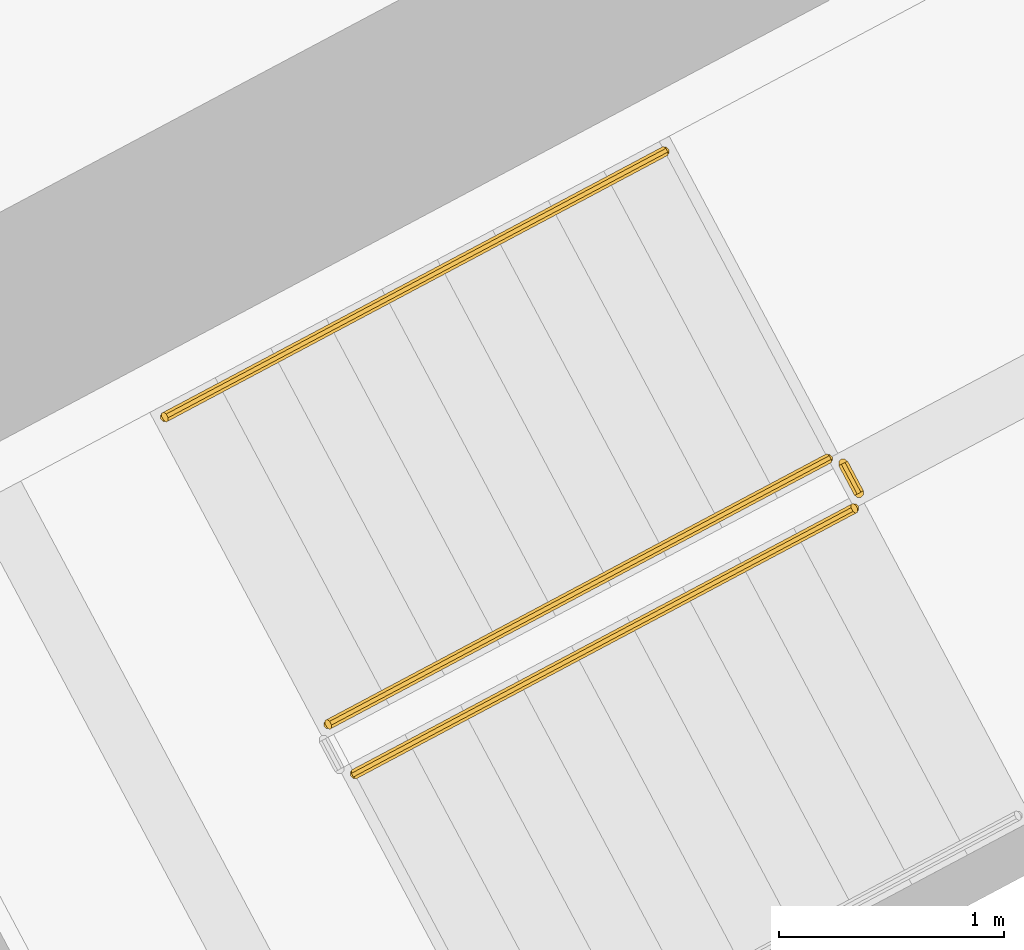
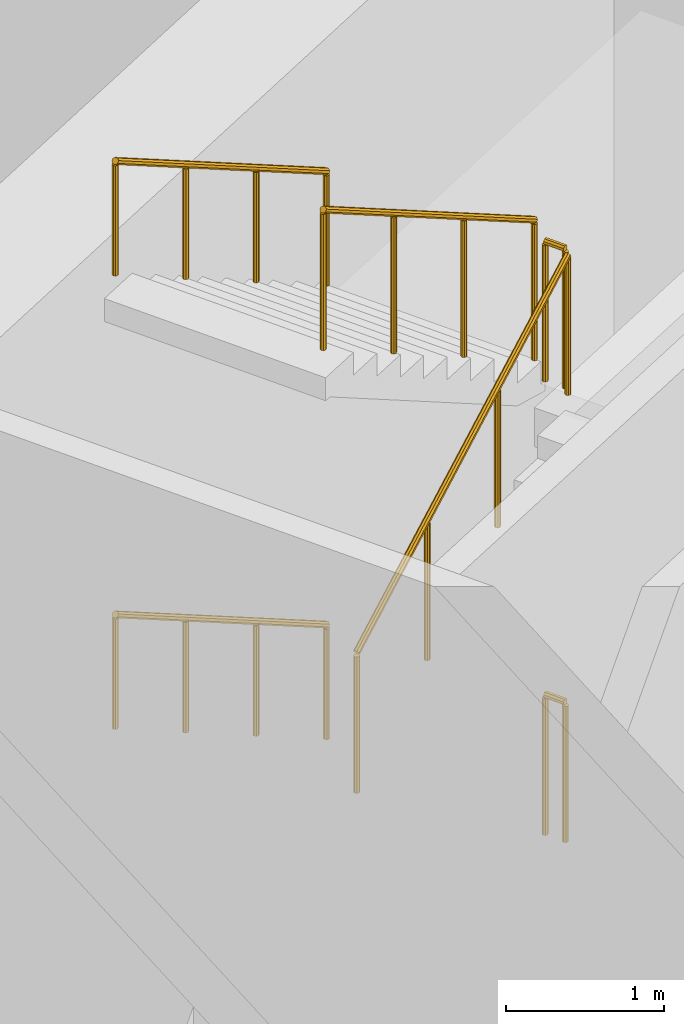
# One storey, part 53 of 57: 6 railings.
"""IFC4 building model written with IfcOpenShell, lengths in metres."""

from ifc_helpers import new_model, si_unit, direction, frame, origin, place, context, subcontext, project, spatial, polyline, outline, extrude, material, type_object, element, save


model = new_model("IFC4")

# Units and contexts
model_context = context("Model", 3, precision=1e-05, world=origin(), true_north=direction((0.0, 1.0)))
body_context = subcontext(model_context, "Body", "Model", "MODEL_VIEW")
ifc_project = project(units=[si_unit("LENGTHUNIT", "METRE"), si_unit("AREAUNIT", "SQUARE_METRE"), si_unit("VOLUMEUNIT", "CUBIC_METRE"), si_unit("PLANEANGLEUNIT", "RADIAN"), si_unit("MASSUNIT", "GRAM", prefix="KILO")], contexts=[model_context])

# Site, building, storey
site_placement = place(None, origin())
site = spatial("IfcSite", under=ifc_project, at=site_placement, CompositionType="ELEMENT")
building_placement = place(site_placement, origin())
building = spatial("IfcBuilding", under=site, at=building_placement, Name="Cormorant Relay Tower", CompositionType="ELEMENT")
storey_placement = place(building_placement, origin())
storey = spatial("IfcBuildingStorey", under=building, at=storey_placement, Name="L00", CompositionType="ELEMENT", Elevation=0.0)

# Railings
ifc_material_1 = material(Name="Steel ASTM A572 Grade 50 (Fy 345 MPa)", Category="steel")
railing_type_1 = type_object("IfcRailingType", Name="Stair guard 1100", PredefinedType="GUARDRAIL", material=ifc_material_1)
railing_1_placement = place(storey_placement, frame((26.086669921875, 21.91162109375, 1.75)))
element("IfcRailing", 1, at=railing_1_placement, inside=storey, type_object=railing_type_1, Name="L00 B2 stair guard 2", PredefinedType="GUARDRAIL", context=body_context, shape_type="SweptSolid", body=[
    extrude(outline(polyline([(0.022216796875, 0.00927734375), (0.00927734375, 0.022216796875), (-0.00927734375, 0.022216796875), (-0.022216796875, 0.00927734375), (-0.022216796875, -0.00927734375), (-0.00927734375, -0.022216796875), (0.00927734375, -0.022216796875), (0.022216796875, -0.00927734375), (0.022216796875, 0.00927734375)])), frame((0.0, 0.0, 1.076171875), z_axis=(-0.469828648786, 0.882757634224, 0.0), x_axis=(-0.882757634224, -0.469828648786, 0.0)), (0.0, 0.0, 1.0), 0.150146484375),
    extrude(outline(polyline([(0.019287109375, 0.008056640625), (0.008056640625, 0.019287109375), (-0.008056640625, 0.019287109375), (-0.019287109375, 0.008056640625), (-0.019287109375, -0.008056640625), (-0.008056640625, -0.019287109375), (0.008056640625, -0.019287109375), (0.019287109375, -0.008056640625), (0.019287109375, 0.008056640625)])), origin(), (0.0, 0.0, 1.0), 1.052001953125),
    extrude(outline(polyline([(0.019287109375, 0.008056640625), (0.008056640625, 0.019287109375), (-0.008056640625, 0.019287109375), (-0.019287109375, 0.008056640625), (-0.019287109375, -0.008056640625), (-0.008056640625, -0.019287109375), (0.008056640625, -0.019287109375), (0.019287109375, -0.008056640625), (0.019287109375, 0.008056640625)])), frame((-0.070556640625, 0.132568359375, 0.0)), (0.0, 0.0, 1.0), 1.052001953125),
])
railing_2_placement = place(storey_placement, frame((23.8408203125, 20.6611328125, 3.675048828125)))
element("IfcRailing", 2, at=railing_2_placement, inside=storey, type_object=railing_type_1, Name="L00 B2 stair guard 5", PredefinedType="GUARDRAIL", context=body_context, shape_type="SweptSolid", body=[
    extrude(outline(polyline([(0.022216796875, 0.00927734375), (0.00927734375, 0.022216796875), (-0.00927734375, 0.022216796875), (-0.022216796875, 0.00927734375), (-0.022216796875, -0.00927734375), (-0.00927734375, -0.022216796875), (0.00927734375, -0.022216796875), (0.022216796875, -0.00927734375), (0.022216796875, 0.00927734375)])), frame((0.0, 0.0, 1.076171875), z_axis=(0.74877565377, 0.398048940368, 0.529992510695), x_axis=(-0.469396049876, 0.882987739643, 0.0)), (0.0, 0.0, 1.0), 2.9716796875),
    extrude(outline(polyline([(0.019287109375, 0.008056640625), (0.008056640625, 0.019287109375), (-0.008056640625, 0.019287109375), (-0.019287109375, 0.008056640625), (-0.019287109375, -0.008056640625), (-0.008056640625, -0.019287109375), (0.008056640625, -0.019287109375), (0.019287109375, -0.008056640625), (0.019287109375, 0.008056640625)])), origin(), (0.0, 0.0, 1.0), 1.052001953125),
    extrude(outline(polyline([(0.019287109375, 0.008056640625), (0.008056640625, 0.019287109375), (-0.008056640625, 0.019287109375), (-0.019287109375, 0.008056640625), (-0.019287109375, -0.008056640625), (-0.008056640625, -0.019287109375), (0.008056640625, -0.019287109375), (0.019287109375, -0.008056640625), (0.019287109375, 0.008056640625)])), frame((0.74169921875, 0.394287109375, 0.52490234375)), (0.0, 0.0, 1.0), 1.052001953125),
    extrude(outline(polyline([(0.019287109375, 0.008056640625), (0.008056640625, 0.019287109375), (-0.008056640625, 0.019287109375), (-0.019287109375, 0.008056640625), (-0.019287109375, -0.008056640625), (-0.008056640625, -0.019287109375), (0.008056640625, -0.019287109375), (0.019287109375, -0.008056640625), (0.019287109375, 0.008056640625)])), frame((1.4833984375, 0.78857421875, 1.050048828125)), (0.0, 0.0, 1.0), 1.052001953125),
    extrude(outline(polyline([(0.019287109375, 0.008056640625), (0.008056640625, 0.019287109375), (-0.008056640625, 0.019287109375), (-0.019287109375, 0.008056640625), (-0.019287109375, -0.008056640625), (-0.008056640625, -0.019287109375), (0.008056640625, -0.019287109375), (0.019287109375, -0.008056640625), (0.019287109375, 0.008056640625)])), frame((2.22509765625, 1.182861328125, 1.574951171875)), (0.0, 0.0, 1.0), 1.052001953125),
])
railing_3_placement = place(storey_placement, frame((26.086669921875, 21.91162109375, 5.25)))
element("IfcRailing", 3, at=railing_3_placement, inside=storey, type_object=railing_type_1, Name="L00 B2 stair guard 6", PredefinedType="GUARDRAIL", context=body_context, shape_type="SweptSolid", body=[
    extrude(outline(polyline([(0.022216796875, 0.00927734375), (0.00927734375, 0.022216796875), (-0.00927734375, 0.022216796875), (-0.022216796875, 0.00927734375), (-0.022216796875, -0.00927734375), (-0.00927734375, -0.022216796875), (0.00927734375, -0.022216796875), (0.022216796875, -0.00927734375), (0.022216796875, 0.00927734375)])), frame((0.0, 0.0, 1.076171875), z_axis=(-0.469828648786, 0.882757634224, 0.0), x_axis=(-0.882757634224, -0.469828648786, 0.0)), (0.0, 0.0, 1.0), 0.150146484375),
    extrude(outline(polyline([(0.019287109375, 0.008056640625), (0.008056640625, 0.019287109375), (-0.008056640625, 0.019287109375), (-0.019287109375, 0.008056640625), (-0.019287109375, -0.008056640625), (-0.008056640625, -0.019287109375), (0.008056640625, -0.019287109375), (0.019287109375, -0.008056640625), (0.019287109375, 0.008056640625)])), origin(), (0.0, 0.0, 1.0), 1.052001953125),
    extrude(outline(polyline([(0.019287109375, 0.008056640625), (0.008056640625, 0.019287109375), (-0.008056640625, 0.019287109375), (-0.019287109375, 0.008056640625), (-0.019287109375, -0.008056640625), (-0.008056640625, -0.019287109375), (0.008056640625, -0.019287109375), (0.019287109375, -0.008056640625), (0.019287109375, 0.008056640625)])), frame((-0.070556640625, 0.132568359375, 0.0)), (0.0, 0.0, 1.0), 1.052001953125),
])
railing_4_placement = place(storey_placement, frame((25.948486328125, 22.06494140625, 5.425048828125)))
element("IfcRailing", 4, at=railing_4_placement, inside=storey, type_object=railing_type_1, Name="L00 B2 stair guard 7", PredefinedType="GUARDRAIL", context=body_context, shape_type="SweptSolid", body=[
    extrude(outline(polyline([(0.022216796875, 0.00927734375), (0.00927734375, 0.022216796875), (-0.00927734375, 0.022216796875), (-0.022216796875, 0.00927734375), (-0.022216796875, -0.00927734375), (-0.00927734375, -0.022216796875), (0.00927734375, -0.022216796875), (0.022216796875, -0.00927734375), (0.022216796875, 0.00927734375)])), frame((0.0, 0.0, 1.076171875), z_axis=(-0.74875116571, -0.398118076479, 0.529975177748), x_axis=(0.4694715809, -0.882947583228, 0.0)), (0.0, 0.0, 1.0), 2.9716796875),
    extrude(outline(polyline([(0.019287109375, 0.008056640625), (0.008056640625, 0.019287109375), (-0.008056640625, 0.019287109375), (-0.019287109375, 0.008056640625), (-0.019287109375, -0.008056640625), (-0.008056640625, -0.019287109375), (0.008056640625, -0.019287109375), (0.019287109375, -0.008056640625), (0.019287109375, 0.008056640625)])), origin(), (0.0, 0.0, 1.0), 1.052001953125),
    extrude(outline(polyline([(0.019287109375, 0.008056640625), (0.008056640625, 0.019287109375), (-0.008056640625, 0.019287109375), (-0.019287109375, 0.008056640625), (-0.019287109375, -0.008056640625), (-0.008056640625, -0.019287109375), (0.008056640625, -0.019287109375), (0.019287109375, -0.008056640625), (0.019287109375, 0.008056640625)])), frame((-0.74169921875, -0.394287109375, 0.52490234375)), (0.0, 0.0, 1.0), 1.052001953125),
    extrude(outline(polyline([(0.019287109375, 0.008056640625), (0.008056640625, 0.019287109375), (-0.008056640625, 0.019287109375), (-0.019287109375, 0.008056640625), (-0.019287109375, -0.008056640625), (-0.008056640625, -0.019287109375), (0.008056640625, -0.019287109375), (0.019287109375, -0.008056640625), (0.019287109375, 0.008056640625)])), frame((-1.4833984375, -0.788818359375, 1.050048828125)), (0.0, 0.0, 1.0), 1.052001953125),
    extrude(outline(polyline([(0.019287109375, 0.008056640625), (0.008056640625, 0.019287109375), (-0.008056640625, 0.019287109375), (-0.019287109375, 0.008056640625), (-0.019287109375, -0.008056640625), (-0.008056640625, -0.019287109375), (0.008056640625, -0.019287109375), (0.019287109375, -0.008056640625), (0.019287109375, 0.008056640625)])), frame((-2.22509765625, -1.18310546875, 1.574951171875)), (0.0, 0.0, 1.0), 1.052001953125),
])
ifc_material_2 = material(Name="Steel ASTM A572 Grade 50 (Fy 345 MPa)", Category="steel")
railing_type_2 = type_object("IfcRailingType", Name="Stair handrail 900", PredefinedType="HANDRAIL", material=ifc_material_2)
railing_5_placement = place(storey_placement, frame((25.220947265625, 23.433349609375, 1.925048828125)))
element("IfcRailing", 5, at=railing_5_placement, inside=storey, type_object=railing_type_2, Name="L00 B2 stair handrail 2", PredefinedType="HANDRAIL", context=body_context, shape_type="SweptSolid", body=[
    extrude(outline(polyline([(0.022216796875, 0.00927734375), (0.00927734375, 0.022216796875), (-0.00927734375, 0.022216796875), (-0.022216796875, 0.00927734375), (-0.022216796875, -0.00927734375), (-0.00927734375, -0.022216796875), (0.00927734375, -0.022216796875), (0.022216796875, -0.00927734375), (0.022216796875, 0.00927734375)])), frame((0.0, 0.0, 0.8759765625), z_axis=(-0.74875116571, -0.398118076479, 0.529975177748), x_axis=(0.4694715809, -0.882947583228, 0.0)), (0.0, 0.0, 1.0), 2.9716796875),
    extrude(outline(polyline([(0.019287109375, 0.008056640625), (0.008056640625, 0.019287109375), (-0.008056640625, 0.019287109375), (-0.019287109375, 0.008056640625), (-0.019287109375, -0.008056640625), (-0.008056640625, -0.019287109375), (0.008056640625, -0.019287109375), (0.019287109375, -0.008056640625), (0.019287109375, 0.008056640625)])), origin(), (0.0, 0.0, 1.0), 0.851806640625),
    extrude(outline(polyline([(0.019287109375, 0.008056640625), (0.008056640625, 0.019287109375), (-0.008056640625, 0.019287109375), (-0.019287109375, 0.008056640625), (-0.019287109375, -0.008056640625), (-0.008056640625, -0.019287109375), (0.008056640625, -0.019287109375), (0.019287109375, -0.008056640625), (0.019287109375, 0.008056640625)])), frame((-0.74169921875, -0.394287109375, 0.52490234375)), (0.0, 0.0, 1.0), 0.851806640625),
    extrude(outline(polyline([(0.019287109375, 0.008056640625), (0.008056640625, 0.019287109375), (-0.008056640625, 0.019287109375), (-0.019287109375, 0.008056640625), (-0.019287109375, -0.008056640625), (-0.008056640625, -0.019287109375), (0.008056640625, -0.019287109375), (0.019287109375, -0.008056640625), (0.019287109375, 0.008056640625)])), frame((-1.4833984375, -0.788818359375, 1.050048828125)), (0.0, 0.0, 1.0), 0.851806640625),
    extrude(outline(polyline([(0.019287109375, 0.008056640625), (0.008056640625, 0.019287109375), (-0.008056640625, 0.019287109375), (-0.019287109375, 0.008056640625), (-0.019287109375, -0.008056640625), (-0.008056640625, -0.019287109375), (0.008056640625, -0.019287109375), (0.019287109375, -0.008056640625), (0.019287109375, 0.008056640625)])), frame((-2.22509765625, -1.18310546875, 1.574951171875)), (0.0, 0.0, 1.0), 0.851806640625),
])
railing_6_placement = place(storey_placement, frame((25.220947265625, 23.433349609375, 5.425048828125)))
element("IfcRailing", 6, at=railing_6_placement, inside=storey, type_object=railing_type_2, Name="L00 B2 stair handrail 4", PredefinedType="HANDRAIL", context=body_context, shape_type="SweptSolid", body=[
    extrude(outline(polyline([(0.022216796875, 0.00927734375), (0.00927734375, 0.022216796875), (-0.00927734375, 0.022216796875), (-0.022216796875, 0.00927734375), (-0.022216796875, -0.00927734375), (-0.00927734375, -0.022216796875), (0.00927734375, -0.022216796875), (0.022216796875, -0.00927734375), (0.022216796875, 0.00927734375)])), frame((0.0, 0.0, 0.8759765625), z_axis=(-0.74875116571, -0.398118076479, 0.529975177748), x_axis=(0.4694715809, -0.882947583228, 0.0)), (0.0, 0.0, 1.0), 2.9716796875),
    extrude(outline(polyline([(0.019287109375, 0.008056640625), (0.008056640625, 0.019287109375), (-0.008056640625, 0.019287109375), (-0.019287109375, 0.008056640625), (-0.019287109375, -0.008056640625), (-0.008056640625, -0.019287109375), (0.008056640625, -0.019287109375), (0.019287109375, -0.008056640625), (0.019287109375, 0.008056640625)])), origin(), (0.0, 0.0, 1.0), 0.851806640625),
    extrude(outline(polyline([(0.019287109375, 0.008056640625), (0.008056640625, 0.019287109375), (-0.008056640625, 0.019287109375), (-0.019287109375, 0.008056640625), (-0.019287109375, -0.008056640625), (-0.008056640625, -0.019287109375), (0.008056640625, -0.019287109375), (0.019287109375, -0.008056640625), (0.019287109375, 0.008056640625)])), frame((-0.74169921875, -0.394287109375, 0.52490234375)), (0.0, 0.0, 1.0), 0.851806640625),
    extrude(outline(polyline([(0.019287109375, 0.008056640625), (0.008056640625, 0.019287109375), (-0.008056640625, 0.019287109375), (-0.019287109375, 0.008056640625), (-0.019287109375, -0.008056640625), (-0.008056640625, -0.019287109375), (0.008056640625, -0.019287109375), (0.019287109375, -0.008056640625), (0.019287109375, 0.008056640625)])), frame((-1.4833984375, -0.788818359375, 1.050048828125)), (0.0, 0.0, 1.0), 0.851806640625),
    extrude(outline(polyline([(0.019287109375, 0.008056640625), (0.008056640625, 0.019287109375), (-0.008056640625, 0.019287109375), (-0.019287109375, 0.008056640625), (-0.019287109375, -0.008056640625), (-0.008056640625, -0.019287109375), (0.008056640625, -0.019287109375), (0.019287109375, -0.008056640625), (0.019287109375, 0.008056640625)])), frame((-2.22509765625, -1.18310546875, 1.574951171875)), (0.0, 0.0, 1.0), 0.851806640625),
])

save(model, "model.ifc")
